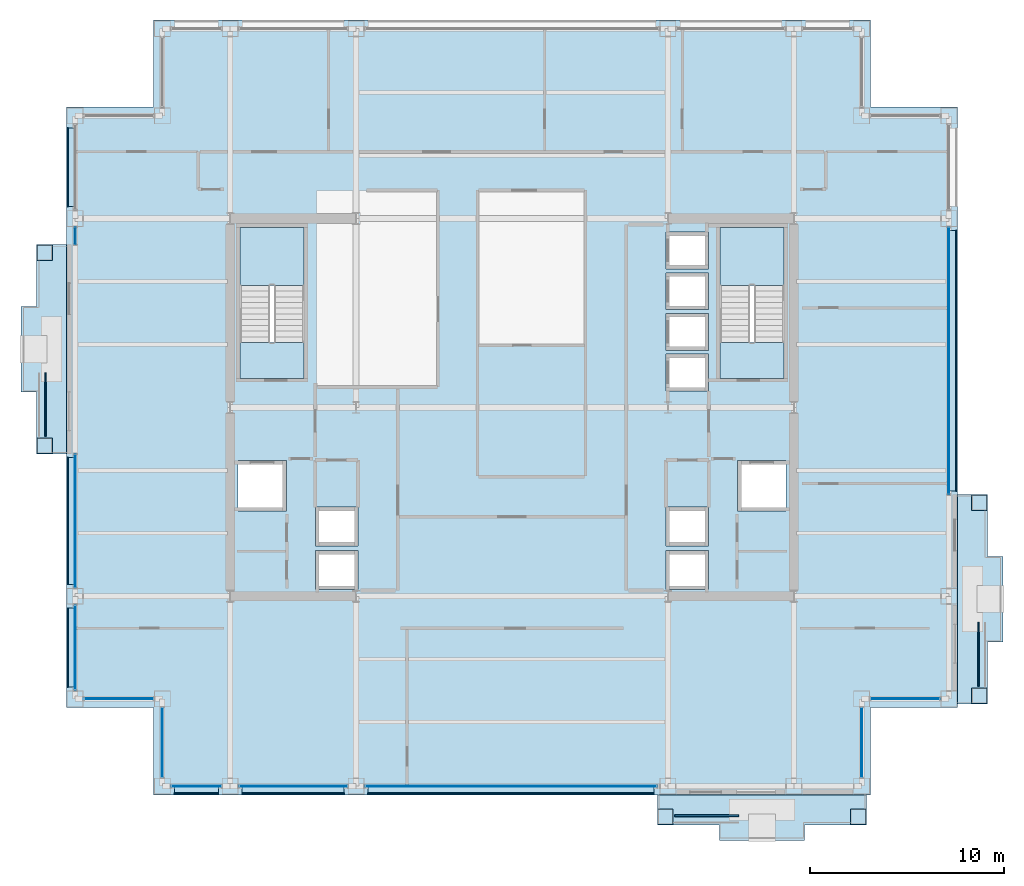
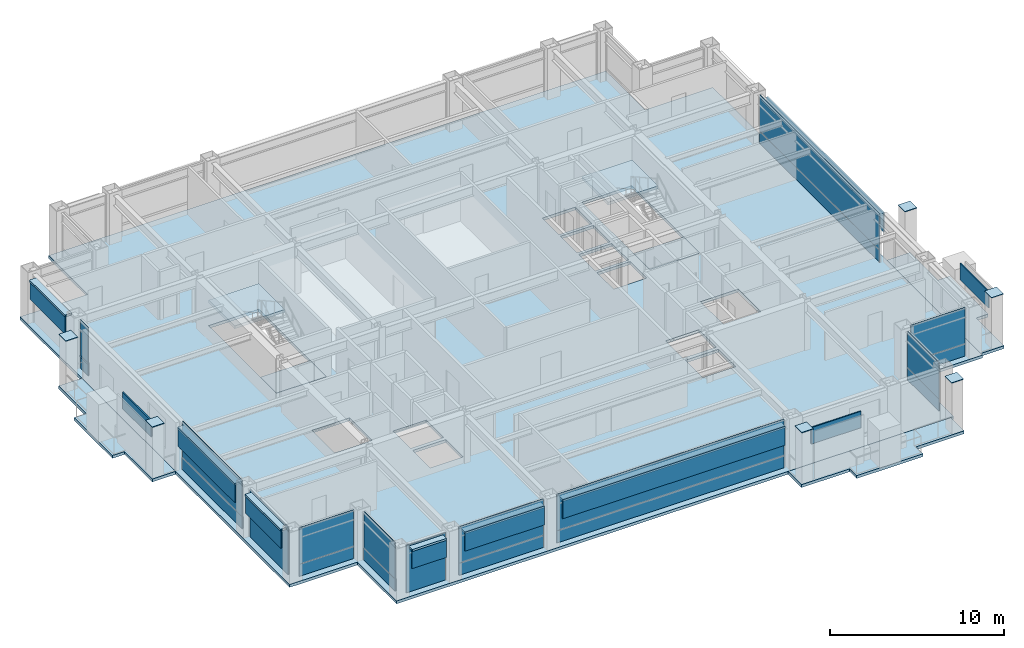
# One storey, part 23 of 30: 43 plates, 8 slabs, 1 member, 13 elements without a shape of their own.
"""IFC4 building model written with IfcOpenShell, lengths in metres."""

from ifc_helpers import new_model, si_unit, direction, frame, origin, origin_2d, place, context, subcontext, project, spatial, polyline, rectangle, hollow_rectangle, outline, extrude, material, layer, layer_set, material_profile, profile_set, type_object, element, aggregate, save


model = new_model("IFC4")

# Units and contexts
model_context = context("Model", 3, precision=1e-05, world=origin(), true_north=direction((0.0, 1.0)))
body_context = subcontext(model_context, "Body", "Model", "MODEL_VIEW")
ifc_project = project(units=[si_unit("LENGTHUNIT", "METRE"), si_unit("AREAUNIT", "SQUARE_METRE"), si_unit("VOLUMEUNIT", "CUBIC_METRE"), si_unit("PLANEANGLEUNIT", "RADIAN"), si_unit("MASSUNIT", "GRAM", prefix="KILO")], contexts=[model_context])

# Site, building, storey
site_placement = place(None, origin())
site = spatial("IfcSite", under=ifc_project, at=site_placement, CompositionType="ELEMENT")
building_placement = place(site_placement, origin())
building = spatial("IfcBuilding", under=site, at=building_placement, Name="Brelmoor Portico Tower", CompositionType="ELEMENT")
storey_placement = place(building_placement, frame((0.0, 0.0, 102.60009765625)))
storey = spatial("IfcBuildingStorey", under=building, at=storey_placement, Name="L26", CompositionType="ELEMENT", Elevation=102.60009765625)

# Curtain wall, member
ifc_material_1 = material(Name="Anodised Aluminium Alloy 6063-T6", Category="aluminium")
ifc_layer_1 = layer(ifc_material_1, 0.179931640625)
ifc_layer_set_1 = layer_set([ifc_layer_1], Name="Anodised Aluminium Alloy 6063-T6")
curtain_wall_type_1 = type_object("IfcCurtainWallType", Name="CW-TOWER-Z2", PredefinedType="NOTDEFINED", material=ifc_layer_set_1)
curtain_wall_1_placement = place(storey_placement, origin())
curtain_wall_1 = element("IfcCurtainWall", 1, at=curtain_wall_1_placement, inside=storey, type_object=curtain_wall_type_1, Name="L26 Curtain Wall CW-L26-3R-1", PredefinedType="NOTDEFINED")
ifc_material_profile = material_profile(ifc_material_1, hollow_rectangle(XDim=0.06494140625, YDim=0.139892578125, WallThickness=0.00390625, at=origin_2d()), Name="ALU TRANSOM 65x140")
ifc_profile_set = profile_set([ifc_material_profile], Name="Anodised Aluminium Alloy 6063-T6")
member_type = type_object("IfcMemberType", Name="MB-CW-TRAN-140", PredefinedType="USERDEFINED", material=ifc_profile_set)
member_placement = place(storey_placement, frame((-22.550048828125, 8.39990234375, 0.849853515625), z_axis=(0.0, 1.0, 0.0), x_axis=(-1.0, 0.0, 0.0)))
member = element("IfcMember", 2, at=member_placement, type_object=member_type, Name="CW-L26-3R-1 Transom 1-00", ObjectType="TRANSOM", PredefinedType="USERDEFINED", context=body_context, shape_type="SweptSolid", body=[
    extrude(hollow_rectangle(XDim=0.06494140625, YDim=0.139892578125, WallThickness=0.00390625, at=origin_2d()), origin(), (0.0, 0.0, 1.0), 0.9150390625),
])

# Plates
ifc_material_2 = material(Name="Steel Q355B", Category="steel")
ifc_layer_2 = layer(ifc_material_2, 0.044921875)
ifc_layer_set_2 = layer_set([ifc_layer_2], Name="Steel Q355B")
plate_type_1 = type_object("IfcPlateType", Name="PT-CAP-650", PredefinedType="SHEET", material=ifc_layer_set_2)
for number, where, z_axis, x_axis, name in (
    (3, (7.919921875, -21.1298828125, 3.599853515625), (0.0, 0.0, 1.0), (1.0, 0.0, 0.0), "L26 Proud Picture-Frame Pier PFJ-S1 Welded Head Cap Plate"),
    (4, (17.8798828125, -21.1298828125, 3.599853515625), (0.0, 0.0, 1.0), (1.0, 0.0, 0.0), "L26 Proud Picture-Frame Pier PFJ-S2 Welded Head Cap Plate"),
    (5, (24.1298828125, -14.8798828125, 3.599853515625), (0.0, 0.0, 1.0), (0.0, 1.0, 0.0), "L26 Proud Picture-Frame Pier PFJ-E1 Welded Head Cap Plate"),
    (6, (24.1298828125, -4.919921875, 3.599853515625), (0.0, 0.0, 1.0), (0.0, 1.0, 0.0), "L26 Proud Picture-Frame Pier PFJ-E2 Welded Head Cap Plate"),
    (7, (-24.1298828125, -1.97998046875, 3.599853515625), (0.0, 0.0, 1.0), (0.0, 1.0, 0.0), "L26 Proud Picture-Frame Pier PFJ-W1 Welded Head Cap Plate"),
    (8, (-24.1298828125, 7.97998046875, 3.599853515625), (0.0, 0.0, 1.0), (0.0, 1.0, 0.0), "L26 Proud Picture-Frame Pier PFJ-W2 Welded Head Cap Plate"),
):
    element("IfcPlate", number, at=place(storey_placement, frame(where, z_axis=z_axis, x_axis=x_axis)), inside=storey, type_object=plate_type_1, Name=name, PredefinedType="SHEET", context=body_context, shape_type="SweptSolid", body=[
        extrude(rectangle(XDim=0.7900390625, YDim=0.7900390625, at=origin_2d()), origin(), (0.0, 0.0, 1.0), 0.0400390625),
    ])

# Curtain wall, plate
curtain_wall_2_placement = place(storey_placement, origin())
curtain_wall_2 = element("IfcCurtainWall", 9, at=curtain_wall_2_placement, inside=storey, type_object=curtain_wall_type_1, Name="L26 Curtain Wall CW-L26-1L-2", PredefinedType="NOTDEFINED")
ifc_material_3 = material(Name="Double-Silver Low-E Insulated Glazing", Category="glass")
ifc_layer_3 = layer(ifc_material_3, 0.035888671875)
ifc_layer_set_3 = layer_set([ifc_layer_3], Name="Double-Silver Low-E Insulated Glazing")
plate_type_2 = type_object("IfcPlateType", Name="PT-CW-GLASS", PredefinedType="CURTAIN_PANEL", material=ifc_layer_set_3)
plate_1_placement = place(storey_placement, frame((-11.300048828125, -19.550048828125, 0.85009765625), z_axis=(0.0, 0.0, 1.0), x_axis=(1.0, 0.0, 0.0)))
plate_1 = element("IfcPlate", 10, at=plate_1_placement, type_object=plate_type_2, Name="CW-L26-1L-2 Vision Glass Panel 00", PredefinedType="CURTAIN_PANEL", context=body_context, shape_type="SweptSolid", body=[
    extrude(rectangle(XDim=5.60009765625, YDim=0.035888671875, at=origin_2d()), origin(), (0.0, 0.0, 1.0), 2.550048828125),
])

curtain_wall_3_placement = place(storey_placement, origin())
curtain_wall_3 = element("IfcCurtainWall", 11, at=curtain_wall_3_placement, inside=storey, type_object=curtain_wall_type_1, Name="L26 Curtain Wall CW-L26-1L-3", PredefinedType="NOTDEFINED")
plate_2_placement = place(storey_placement, frame((-0.0576171875, -19.550048828125, 0.85009765625), z_axis=(0.0, 0.0, 1.0), x_axis=(1.0, 0.0, 0.0)))
plate_2 = element("IfcPlate", 12, at=plate_2_placement, type_object=plate_type_2, Name="CW-L26-1L-3 Vision Glass Panel 00", PredefinedType="CURTAIN_PANEL", context=body_context, shape_type="SweptSolid", body=[
    extrude(rectangle(XDim=15.0849609375, YDim=0.035888671875, at=origin_2d()), origin(), (0.0, 0.0, 1.0), 2.550048828125),
])

curtain_wall_4_placement = place(storey_placement, origin())
curtain_wall_4 = element("IfcCurtainWall", 13, at=curtain_wall_4_placement, inside=storey, type_object=curtain_wall_type_1, Name="L26 Curtain Wall CW-L26-3L-2", PredefinedType="NOTDEFINED")
plate_3_placement = place(storey_placement, frame((-22.550048828125, -5.857421875, 0.85009765625), z_axis=(0.0, 0.0, 1.0), x_axis=(0.0, 1.0, 0.0)))
plate_3 = element("IfcPlate", 14, at=plate_3_placement, type_object=plate_type_2, Name="CW-L26-3L-2 Vision Glass Panel 00", PredefinedType="CURTAIN_PANEL", context=body_context, shape_type="SweptSolid", body=[
    extrude(rectangle(XDim=6.885009765625, YDim=0.035888671875, at=origin_2d()), origin(), (0.0, 0.0, 1.0), 2.550048828125),
])

# Plate
plate_4_placement = place(storey_placement, frame((-22.550048828125, 8.857421875, 0.85009765625), z_axis=(0.0, 0.0, 1.0), x_axis=(0.0, 1.0, 0.0)))
plate_4 = element("IfcPlate", 15, at=plate_4_placement, type_object=plate_type_2, Name="CW-L26-3R-1 Vision Glass Panel 00", PredefinedType="CURTAIN_PANEL", context=body_context, shape_type="SweptSolid", body=[
    extrude(rectangle(XDim=0.885009765625, YDim=0.035888671875, at=origin_2d()), origin(), (0.0, 0.0, 1.0), 2.550048828125),
])

# Curtain wall, plate
curtain_wall_5_placement = place(storey_placement, origin())
curtain_wall_5 = element("IfcCurtainWall", 16, at=curtain_wall_5_placement, inside=storey, type_object=curtain_wall_type_1, Name="L26 Curtain Wall CW-L26-4R-1", PredefinedType="NOTDEFINED")
plate_5_placement = place(storey_placement, frame((22.550048828125, 2.407470703125, 0.85009765625), z_axis=(0.0, 0.0, 1.0), x_axis=(0.0, 1.0, 0.0)))
plate_5 = element("IfcPlate", 17, at=plate_5_placement, type_object=plate_type_2, Name="CW-L26-4R-1 Vision Glass Panel 00", PredefinedType="CURTAIN_PANEL", context=body_context, shape_type="SweptSolid", body=[
    extrude(rectangle(XDim=13.784912109375, YDim=0.035888671875, at=origin_2d()), origin(), (0.0, 0.0, 1.0), 2.550048828125),
])

ifc_layer_4 = layer(ifc_material_1, 0.179931640625)
ifc_layer_set_4 = layer_set([ifc_layer_4], Name="Anodised Aluminium Alloy 6063-T6")
curtain_wall_type_2 = type_object("IfcCurtainWallType", Name="CW-NOTCH-CHAMFER", PredefinedType="NOTDEFINED", material=ifc_layer_set_4)
curtain_wall_6_placement = place(storey_placement, origin())
curtain_wall_6 = element("IfcCurtainWall", 18, at=curtain_wall_6_placement, inside=storey, type_object=curtain_wall_type_2, Name="L26 Curtain Wall CWN-L26-SWH", PredefinedType="NOTDEFINED")
plate_6_placement = place(storey_placement, frame((-20.300048828125, -15.050048828125, 0.85009765625), z_axis=(0.0, 0.0, 1.0), x_axis=(1.0, 0.0, 0.0)))
plate_6 = element("IfcPlate", 19, at=plate_6_placement, type_object=plate_type_2, Name="CWN-L26-SWH Vision Glass Panel 00", PredefinedType="CURTAIN_PANEL", context=body_context, shape_type="SweptSolid", body=[
    extrude(rectangle(XDim=3.60009765625, YDim=0.035888671875, at=origin_2d()), origin(), (0.0, 0.0, 1.0), 2.550048828125),
])

curtain_wall_7_placement = place(storey_placement, origin())
curtain_wall_7 = element("IfcCurtainWall", 20, at=curtain_wall_7_placement, inside=storey, type_object=curtain_wall_type_2, Name="L26 Curtain Wall CWN-L26-SWV", PredefinedType="NOTDEFINED")
plate_7_placement = place(storey_placement, frame((-18.050048828125, -17.300048828125, 0.85009765625), z_axis=(0.0, 0.0, 1.0), x_axis=(0.0, 1.0, 0.0)))
plate_7 = element("IfcPlate", 21, at=plate_7_placement, type_object=plate_type_2, Name="CWN-L26-SWV Vision Glass Panel 00", PredefinedType="CURTAIN_PANEL", context=body_context, shape_type="SweptSolid", body=[
    extrude(rectangle(XDim=3.60009765625, YDim=0.035888671875, at=origin_2d()), origin(), (0.0, 0.0, 1.0), 2.550048828125),
])

curtain_wall_8_placement = place(storey_placement, origin())
curtain_wall_8 = element("IfcCurtainWall", 22, at=curtain_wall_8_placement, inside=storey, type_object=curtain_wall_type_2, Name="L26 Curtain Wall CWN-L26-SEH", PredefinedType="NOTDEFINED")
plate_8_placement = place(storey_placement, frame((20.300048828125, -15.050048828125, 0.85009765625), z_axis=(0.0, 0.0, 1.0), x_axis=(1.0, 0.0, 0.0)))
plate_8 = element("IfcPlate", 23, at=plate_8_placement, type_object=plate_type_2, Name="CWN-L26-SEH Vision Glass Panel 00", PredefinedType="CURTAIN_PANEL", context=body_context, shape_type="SweptSolid", body=[
    extrude(rectangle(XDim=3.60009765625, YDim=0.035888671875, at=origin_2d()), origin(), (0.0, 0.0, 1.0), 2.550048828125),
])

curtain_wall_9_placement = place(storey_placement, origin())
curtain_wall_9 = element("IfcCurtainWall", 24, at=curtain_wall_9_placement, inside=storey, type_object=curtain_wall_type_2, Name="L26 Curtain Wall CWN-L26-SEV", PredefinedType="NOTDEFINED")
plate_9_placement = place(storey_placement, frame((18.050048828125, -17.300048828125, 0.85009765625), z_axis=(0.0, 0.0, 1.0), x_axis=(0.0, 1.0, 0.0)))
plate_9 = element("IfcPlate", 25, at=plate_9_placement, type_object=plate_type_2, Name="CWN-L26-SEV Vision Glass Panel 00", PredefinedType="CURTAIN_PANEL", context=body_context, shape_type="SweptSolid", body=[
    extrude(rectangle(XDim=3.60009765625, YDim=0.035888671875, at=origin_2d()), origin(), (0.0, 0.0, 1.0), 2.550048828125),
])

ifc_layer_5 = layer(ifc_material_1, 0.179931640625)
ifc_layer_set_5 = layer_set([ifc_layer_5], Name="Anodised Aluminium Alloy 6063-T6")
curtain_wall_type_3 = type_object("IfcCurtainWallType", Name="CW-TOWER-Z2-XB", PredefinedType="NOTDEFINED", material=ifc_layer_set_5)
curtain_wall_10_placement = place(storey_placement, origin())
curtain_wall_10 = element("IfcCurtainWall", 26, at=curtain_wall_10_placement, inside=storey, type_object=curtain_wall_type_3, Name="L26 Curtain Wall CW-L26-1L-1", PredefinedType="NOTDEFINED")
ifc_material_4 = material(Name="Pale Champagne Anodised Aluminium Panel", Category="aluminium")
ifc_layer_6 = layer(ifc_material_4, 0.050048828125)
ifc_layer_set_6 = layer_set([ifc_layer_6], Name="Pale Champagne Anodised Aluminium Panel")
plate_type_3 = type_object("IfcPlateType", Name="PT-CW-SPANDREL", PredefinedType="SHEET", material=ifc_layer_set_6)
plate_10_placement = place(storey_placement, frame((-16.300048828125, -19.550048828125, -0.000244140625), z_axis=(0.0, 0.0, 1.0), x_axis=(1.0, 0.0, 0.0)))
plate_10 = element("IfcPlate", 27, at=plate_10_placement, type_object=plate_type_3, Name="CW-L26-1L-1 Spandrel Panel 00", PredefinedType="SHEET", context=body_context, shape_type="SweptSolid", body=[
    extrude(rectangle(XDim=2.60009765625, YDim=0.050048828125, at=origin_2d()), origin(), (0.0, 0.0, 1.0), 3.330078125),
])
aggregate(curtain_wall_10, [plate_10])

# Plate
plate_11_placement = place(storey_placement, frame((-11.300048828125, -19.550048828125, -0.000244140625), z_axis=(0.0, 0.0, 1.0), x_axis=(1.0, 0.0, 0.0)))
plate_11 = element("IfcPlate", 28, at=plate_11_placement, type_object=plate_type_3, Name="CW-L26-1L-2 Spandrel Panel 00", PredefinedType="SHEET", context=body_context, shape_type="SweptSolid", body=[
    extrude(rectangle(XDim=5.60009765625, YDim=0.050048828125, at=origin_2d()), origin(), (0.0, 0.0, 1.0), 0.85009765625),
])

aggregate(curtain_wall_2, [plate_11, plate_1])

plate_12_placement = place(storey_placement, frame((-0.0576171875, -19.550048828125, -0.000244140625), z_axis=(0.0, 0.0, 1.0), x_axis=(1.0, 0.0, 0.0)))
plate_12 = element("IfcPlate", 29, at=plate_12_placement, type_object=plate_type_3, Name="CW-L26-1L-3 Spandrel Panel 00", PredefinedType="SHEET", context=body_context, shape_type="SweptSolid", body=[
    extrude(rectangle(XDim=15.0849609375, YDim=0.050048828125, at=origin_2d()), origin(), (0.0, 0.0, 1.0), 0.85009765625),
])

aggregate(curtain_wall_3, [plate_12, plate_2])

# Curtain wall, plate
curtain_wall_11_placement = place(storey_placement, origin())
curtain_wall_11 = element("IfcCurtainWall", 30, at=curtain_wall_11_placement, inside=storey, type_object=curtain_wall_type_3, Name="L26 Curtain Wall CW-L26-3L-1", PredefinedType="NOTDEFINED")
plate_13_placement = place(storey_placement, frame((-22.550048828125, -12.39990234375, -0.000244140625), z_axis=(0.0, 0.0, 1.0), x_axis=(0.0, 1.0, 0.0)))
plate_13 = element("IfcPlate", 31, at=plate_13_placement, type_object=plate_type_3, Name="CW-L26-3L-1 Spandrel Panel 00", PredefinedType="SHEET", context=body_context, shape_type="SweptSolid", body=[
    extrude(rectangle(XDim=4.39990234375, YDim=0.050048828125, at=origin_2d()), origin(), (0.0, 0.0, 1.0), 3.330078125),
])
aggregate(curtain_wall_11, [plate_13])

# Plate
plate_14_placement = place(storey_placement, frame((-22.550048828125, -5.857421875, -0.000244140625), z_axis=(0.0, 0.0, 1.0), x_axis=(0.0, 1.0, 0.0)))
plate_14 = element("IfcPlate", 32, at=plate_14_placement, type_object=plate_type_3, Name="CW-L26-3L-2 Spandrel Panel 00", PredefinedType="SHEET", context=body_context, shape_type="SweptSolid", body=[
    extrude(rectangle(XDim=6.885009765625, YDim=0.050048828125, at=origin_2d()), origin(), (0.0, 0.0, 1.0), 0.85009765625),
])

aggregate(curtain_wall_4, [plate_14, plate_3])

plate_15_placement = place(storey_placement, frame((-22.550048828125, 8.857421875, -0.000244140625), z_axis=(0.0, 0.0, 1.0), x_axis=(0.0, 1.0, 0.0)))
plate_15 = element("IfcPlate", 33, at=plate_15_placement, type_object=plate_type_3, Name="CW-L26-3R-1 Spandrel Panel 00", PredefinedType="SHEET", context=body_context, shape_type="SweptSolid", body=[
    extrude(rectangle(XDim=0.885009765625, YDim=0.050048828125, at=origin_2d()), origin(), (0.0, 0.0, 1.0), 0.85009765625),
])

aggregate(curtain_wall_1, [member, plate_15, plate_4])

plate_16_placement = place(storey_placement, frame((22.550048828125, 2.407470703125, -0.000244140625), z_axis=(0.0, 0.0, 1.0), x_axis=(0.0, 1.0, 0.0)))
plate_16 = element("IfcPlate", 34, at=plate_16_placement, type_object=plate_type_3, Name="CW-L26-4R-1 Spandrel Panel 00", PredefinedType="SHEET", context=body_context, shape_type="SweptSolid", body=[
    extrude(rectangle(XDim=13.784912109375, YDim=0.050048828125, at=origin_2d()), origin(), (0.0, 0.0, 1.0), 0.85009765625),
])

aggregate(curtain_wall_5, [plate_16, plate_5])

plate_17_placement = place(storey_placement, frame((-20.300048828125, -15.050048828125, -0.000244140625), z_axis=(0.0, 0.0, 1.0), x_axis=(1.0, 0.0, 0.0)))
plate_17 = element("IfcPlate", 35, at=plate_17_placement, type_object=plate_type_3, Name="CWN-L26-SWH Spandrel Panel 00", PredefinedType="SHEET", context=body_context, shape_type="SweptSolid", body=[
    extrude(rectangle(XDim=3.60009765625, YDim=0.050048828125, at=origin_2d()), origin(), (0.0, 0.0, 1.0), 0.85009765625),
])

aggregate(curtain_wall_6, [plate_17, plate_6])

plate_18_placement = place(storey_placement, frame((-18.050048828125, -17.300048828125, -0.000244140625), z_axis=(0.0, 0.0, 1.0), x_axis=(0.0, 1.0, 0.0)))
plate_18 = element("IfcPlate", 36, at=plate_18_placement, type_object=plate_type_3, Name="CWN-L26-SWV Spandrel Panel 00", PredefinedType="SHEET", context=body_context, shape_type="SweptSolid", body=[
    extrude(rectangle(XDim=3.60009765625, YDim=0.050048828125, at=origin_2d()), origin(), (0.0, 0.0, 1.0), 0.85009765625),
])

aggregate(curtain_wall_7, [plate_18, plate_7])

plate_19_placement = place(storey_placement, frame((20.300048828125, -15.050048828125, -0.000244140625), z_axis=(0.0, 0.0, 1.0), x_axis=(1.0, 0.0, 0.0)))
plate_19 = element("IfcPlate", 37, at=plate_19_placement, type_object=plate_type_3, Name="CWN-L26-SEH Spandrel Panel 00", PredefinedType="SHEET", context=body_context, shape_type="SweptSolid", body=[
    extrude(rectangle(XDim=3.60009765625, YDim=0.050048828125, at=origin_2d()), origin(), (0.0, 0.0, 1.0), 0.85009765625),
])

aggregate(curtain_wall_8, [plate_19, plate_8])

plate_20_placement = place(storey_placement, frame((18.050048828125, -17.300048828125, -0.000244140625), z_axis=(0.0, 0.0, 1.0), x_axis=(0.0, 1.0, 0.0)))
plate_20 = element("IfcPlate", 38, at=plate_20_placement, type_object=plate_type_3, Name="CWN-L26-SEV Spandrel Panel 00", PredefinedType="SHEET", context=body_context, shape_type="SweptSolid", body=[
    extrude(rectangle(XDim=3.60009765625, YDim=0.050048828125, at=origin_2d()), origin(), (0.0, 0.0, 1.0), 0.85009765625),
])

aggregate(curtain_wall_9, [plate_20, plate_9])

# Plates
ifc_material_5 = material(Name="Powder-Coated Aluminium Shuttered Jalousie Louvre", Category="aluminium")
ifc_layer_7 = layer(ifc_material_5, 0.06005859375)
ifc_layer_set_7 = layer_set([ifc_layer_7], Name="Powder-Coated Aluminium Shuttered Jalousie Louvre")
plate_type_4 = type_object("IfcPlateType", Name="PT-JALOUSIE-SHUTTER", PredefinedType="SHEET", material=ifc_layer_set_7)
plate_21_placement = place(storey_placement, frame((-16.300048828125, -19.929931640625, 1.8740234375), z_axis=(0.0, 0.0, 1.0), x_axis=(1.0, 0.0, 0.0)))
element("IfcPlate", 39, at=plate_21_placement, inside=storey, type_object=plate_type_4, Name="CW-L26-1L-1 Perforated Jalousie Solar Screen", PredefinedType="SHEET", context=body_context, shape_type="SweptSolid", body=[
    extrude(rectangle(XDim=2.27001953125, YDim=0.06494140625, at=origin_2d()), origin(), (0.0, 0.0, 1.0), 1.325927734375),
])
plate_22_placement = place(storey_placement, frame((-11.300048828125, -19.929931640625, 1.8740234375), z_axis=(0.0, 0.0, 1.0), x_axis=(1.0, 0.0, 0.0)))
element("IfcPlate", 40, at=plate_22_placement, inside=storey, type_object=plate_type_4, Name="CW-L26-1L-2 Perforated Jalousie Solar Screen", PredefinedType="SHEET", context=body_context, shape_type="SweptSolid", body=[
    extrude(rectangle(XDim=5.27001953125, YDim=0.06494140625, at=origin_2d()), origin(), (0.0, 0.0, 1.0), 1.325927734375),
])
plate_23_placement = place(storey_placement, frame((-0.0576171875, -19.929931640625, 1.8740234375), z_axis=(0.0, 0.0, 1.0), x_axis=(1.0, 0.0, 0.0)))
element("IfcPlate", 41, at=plate_23_placement, inside=storey, type_object=plate_type_4, Name="CW-L26-1L-3 Perforated Jalousie Solar Screen", PredefinedType="SHEET", context=body_context, shape_type="SweptSolid", body=[
    extrude(rectangle(XDim=14.7548828125, YDim=0.06494140625, at=origin_2d()), origin(), (0.0, 0.0, 1.0), 1.325927734375),
])
plate_24_placement = place(storey_placement, frame((10.050048828125, -21.080078125, 2.27490234375), z_axis=(0.0, 0.0, 1.0), x_axis=(1.0, 0.0, 0.0)))
element("IfcPlate", 42, at=plate_24_placement, inside=storey, type_object=plate_type_4, Name="L26 Shuttered Veranda Screen S", PredefinedType="SHEET", context=body_context, shape_type="SweptSolid", body=[
    extrude(rectangle(XDim=3.300048828125, YDim=0.080078125, at=origin_2d()), origin(), (0.0, 0.0, 1.0), 1.14990234375),
])
plate_25_placement = place(storey_placement, frame((-22.929931640625, -12.39990234375, 1.8740234375), z_axis=(0.0, 0.0, 1.0), x_axis=(0.0, 1.0, 0.0)))
element("IfcPlate", 43, at=plate_25_placement, inside=storey, type_object=plate_type_4, Name="CW-L26-3L-1 Perforated Jalousie Solar Screen", PredefinedType="SHEET", context=body_context, shape_type="SweptSolid", body=[
    extrude(rectangle(XDim=4.070068359375, YDim=0.06494140625, at=origin_2d()), origin(), (0.0, 0.0, 1.0), 1.325927734375),
])
plate_26_placement = place(storey_placement, frame((-22.929931640625, -5.857421875, 1.8740234375), z_axis=(0.0, 0.0, 1.0), x_axis=(0.0, 1.0, 0.0)))
element("IfcPlate", 44, at=plate_26_placement, inside=storey, type_object=plate_type_4, Name="CW-L26-3L-2 Perforated Jalousie Solar Screen", PredefinedType="SHEET", context=body_context, shape_type="SweptSolid", body=[
    extrude(rectangle(XDim=6.554931640625, YDim=0.06494140625, at=origin_2d()), origin(), (0.0, 0.0, 1.0), 1.325927734375),
])
plate_27_placement = place(storey_placement, frame((-22.929931640625, 12.39990234375, 1.8740234375), z_axis=(0.0, 0.0, 1.0), x_axis=(0.0, 1.0, 0.0)))
element("IfcPlate", 45, at=plate_27_placement, inside=storey, type_object=plate_type_4, Name="CW-L26-3R-2 Perforated Jalousie Solar Screen", PredefinedType="SHEET", context=body_context, shape_type="SweptSolid", body=[
    extrude(rectangle(XDim=4.070068359375, YDim=0.06494140625, at=origin_2d()), origin(), (0.0, 0.0, 1.0), 1.325927734375),
])
plate_28_placement = place(storey_placement, frame((-24.080078125, 0.14990234375, 2.27490234375), z_axis=(0.0, 0.0, 1.0), x_axis=(0.0, 1.0, 0.0)))
element("IfcPlate", 46, at=plate_28_placement, inside=storey, type_object=plate_type_4, Name="L26 Shuttered Veranda Screen W", PredefinedType="SHEET", context=body_context, shape_type="SweptSolid", body=[
    extrude(rectangle(XDim=3.300048828125, YDim=0.080078125, at=origin_2d()), origin(), (0.0, 0.0, 1.0), 1.14990234375),
])
plate_29_placement = place(storey_placement, frame((22.929931640625, 2.407470703125, 1.8740234375), z_axis=(0.0, 0.0, 1.0), x_axis=(0.0, 1.0, 0.0)))
element("IfcPlate", 47, at=plate_29_placement, inside=storey, type_object=plate_type_4, Name="CW-L26-4R-1 Perforated Jalousie Solar Screen", PredefinedType="SHEET", context=body_context, shape_type="SweptSolid", body=[
    extrude(rectangle(XDim=13.455078125, YDim=0.06494140625, at=origin_2d()), origin(), (0.0, 0.0, 1.0), 1.325927734375),
])
plate_30_placement = place(storey_placement, frame((24.080078125, -12.75, 2.27490234375), z_axis=(0.0, 0.0, 1.0), x_axis=(0.0, 1.0, 0.0)))
element("IfcPlate", 48, at=plate_30_placement, inside=storey, type_object=plate_type_4, Name="L26 Shuttered Veranda Screen E", PredefinedType="SHEET", context=body_context, shape_type="SweptSolid", body=[
    extrude(rectangle(XDim=3.300048828125, YDim=0.080078125, at=origin_2d()), origin(), (0.0, 0.0, 1.0), 1.14990234375),
])
ifc_material_6 = material(Name="Pale Champagne Perforated Aluminium Solar Screen", Category="aluminium")
ifc_layer_8 = layer(ifc_material_6, 0.054931640625)
ifc_layer_set_8 = layer_set([ifc_layer_8], Name="Pale Champagne Perforated Aluminium Solar Screen")
plate_type_5 = type_object("IfcPlateType", Name="PT-SOLAR-LOUVRE", PredefinedType="SHEET", material=ifc_layer_set_8)
plate_31_placement = place(storey_placement, frame((-16.300048828125, -19.760009765625, 3.08984375), z_axis=(0.0, 0.0, 1.0), x_axis=(1.0, 0.0, 0.0)))
element("IfcPlate", 49, at=plate_31_placement, inside=storey, type_object=plate_type_5, Name="CW-L26-1L-1 Caribbean Brise-Soleil Solar Screen", PredefinedType="SHEET", context=body_context, shape_type="SweptSolid", body=[
    extrude(rectangle(XDim=2.27001953125, YDim=0.4599609375, at=origin_2d()), origin(), (0.0, 0.0, 1.0), 0.139892578125),
])
plate_32_placement = place(storey_placement, frame((-11.300048828125, -19.760009765625, 3.08984375), z_axis=(0.0, 0.0, 1.0), x_axis=(1.0, 0.0, 0.0)))
element("IfcPlate", 50, at=plate_32_placement, inside=storey, type_object=plate_type_5, Name="CW-L26-1L-2 Caribbean Brise-Soleil Solar Screen", PredefinedType="SHEET", context=body_context, shape_type="SweptSolid", body=[
    extrude(rectangle(XDim=5.27001953125, YDim=0.4599609375, at=origin_2d()), origin(), (0.0, 0.0, 1.0), 0.139892578125),
])
plate_33_placement = place(storey_placement, frame((-0.0576171875, -19.760009765625, 3.08984375), z_axis=(0.0, 0.0, 1.0), x_axis=(1.0, 0.0, 0.0)))
element("IfcPlate", 51, at=plate_33_placement, inside=storey, type_object=plate_type_5, Name="CW-L26-1L-3 Caribbean Brise-Soleil Solar Screen", PredefinedType="SHEET", context=body_context, shape_type="SweptSolid", body=[
    extrude(rectangle(XDim=14.7548828125, YDim=0.4599609375, at=origin_2d()), origin(), (0.0, 0.0, 1.0), 0.139892578125),
])
plate_34_placement = place(storey_placement, frame((-22.760009765625, -12.39990234375, 3.08984375), z_axis=(0.0, 0.0, 1.0), x_axis=(0.0, 1.0, 0.0)))
element("IfcPlate", 52, at=plate_34_placement, inside=storey, type_object=plate_type_5, Name="CW-L26-3L-1 Caribbean Brise-Soleil Solar Screen", PredefinedType="SHEET", context=body_context, shape_type="SweptSolid", body=[
    extrude(rectangle(XDim=4.070068359375, YDim=0.4599609375, at=origin_2d()), origin(), (0.0, 0.0, 1.0), 0.139892578125),
])
plate_35_placement = place(storey_placement, frame((-22.760009765625, -5.857421875, 3.08984375), z_axis=(0.0, 0.0, 1.0), x_axis=(0.0, 1.0, 0.0)))
element("IfcPlate", 53, at=plate_35_placement, inside=storey, type_object=plate_type_5, Name="CW-L26-3L-2 Caribbean Brise-Soleil Solar Screen", PredefinedType="SHEET", context=body_context, shape_type="SweptSolid", body=[
    extrude(rectangle(XDim=6.554931640625, YDim=0.4599609375, at=origin_2d()), origin(), (0.0, 0.0, 1.0), 0.139892578125),
])
plate_36_placement = place(storey_placement, frame((-22.760009765625, 12.39990234375, 3.08984375), z_axis=(0.0, 0.0, 1.0), x_axis=(0.0, 1.0, 0.0)))
element("IfcPlate", 54, at=plate_36_placement, inside=storey, type_object=plate_type_5, Name="CW-L26-3R-2 Caribbean Brise-Soleil Solar Screen", PredefinedType="SHEET", context=body_context, shape_type="SweptSolid", body=[
    extrude(rectangle(XDim=4.070068359375, YDim=0.4599609375, at=origin_2d()), origin(), (0.0, 0.0, 1.0), 0.139892578125),
])
plate_37_placement = place(storey_placement, frame((22.760009765625, 2.407470703125, 3.08984375), z_axis=(0.0, 0.0, 1.0), x_axis=(0.0, 1.0, 0.0)))
element("IfcPlate", 55, at=plate_37_placement, inside=storey, type_object=plate_type_5, Name="CW-L26-4R-1 Caribbean Brise-Soleil Solar Screen", PredefinedType="SHEET", context=body_context, shape_type="SweptSolid", body=[
    extrude(rectangle(XDim=13.455078125, YDim=0.4599609375, at=origin_2d()), origin(), (0.0, 0.0, 1.0), 0.139892578125),
])

# Slabs
ifc_material_7 = material(Name="Concrete C40", Category="concrete")
ifc_layer_9 = layer(ifc_material_7, 0.199951171875)
ifc_layer_set_9 = layer_set([ifc_layer_9], Name="Concrete C40")
slab_type_1 = type_object("IfcSlabType", Name="SL-BALCONY-200", PredefinedType="FLOOR", material=ifc_layer_set_9)
slab_1_placement = place(storey_placement, frame((0.0, 0.0, -0.2001953125)))
element("IfcSlab", 56, at=slab_1_placement, inside=storey, type_object=slab_type_1, Name="L26 Loggia Tree Balcony Slab S", PredefinedType="FLOOR", context=body_context, shape_type="SweptSolid", body=[
    extrude(outline(polyline([(7.5, -21.550048828125), (10.699951171875, -21.550048828125), (10.699951171875, -22.35009765625), (15.10009765625, -22.35009765625), (15.10009765625, -21.550048828125), (18.300048828125, -21.550048828125), (18.300048828125, -20.0), (7.5, -20.0), (7.5, -21.550048828125)])), origin(), (0.0, 0.0, 1.0), 0.2001953125),
])
slab_2_placement = place(storey_placement, frame((0.0, 0.0, -0.2001953125)))
element("IfcSlab", 57, at=slab_2_placement, inside=storey, type_object=slab_type_1, Name="L26 Loggia Tree Balcony Slab E", PredefinedType="FLOOR", context=body_context, shape_type="SweptSolid", body=[
    extrude(outline(polyline([(23.0, -15.300048828125), (24.550048828125, -15.300048828125), (24.550048828125, -12.10009765625), (25.35009765625, -12.10009765625), (25.35009765625, -7.699951171875), (24.550048828125, -7.699951171875), (24.550048828125, -4.5), (23.0, -4.5), (23.0, -15.300048828125)])), origin(), (0.0, 0.0, 1.0), 0.2001953125),
])
slab_3_placement = place(storey_placement, frame((0.0, 0.0, -0.2001953125)))
element("IfcSlab", 58, at=slab_3_placement, inside=storey, type_object=slab_type_1, Name="L26 Loggia Tree Balcony Slab W", PredefinedType="FLOOR", context=body_context, shape_type="SweptSolid", body=[
    extrude(outline(polyline([(-24.550048828125, -2.39990234375), (-23.0, -2.39990234375), (-23.0, 8.39990234375), (-24.550048828125, 8.39990234375), (-24.550048828125, 5.199951171875), (-25.35009765625, 5.199951171875), (-25.35009765625, 0.800048828125), (-24.550048828125, 0.800048828125), (-24.550048828125, -2.39990234375)])), origin(), (0.0, 0.0, 1.0), 0.2001953125),
])
ifc_layer_10 = layer(ifc_material_7, 0.199951171875)
ifc_layer_set_10 = layer_set([ifc_layer_10], Name="Concrete C40")
slab_type_2 = type_object("IfcSlabType", Name="SL-FLOOR-200", PredefinedType="FLOOR", material=ifc_layer_set_10)
slab_4_placement = place(storey_placement, frame((0.0, 0.0, -0.2001953125)))
element("IfcSlab", 59, at=slab_4_placement, inside=storey, type_object=slab_type_2, Name="L26 Main Structural Floor Slab", PredefinedType="FLOOR", context=body_context, shape_type="SweptSolid", body=[
    extrude(outline(polyline([(-18.5, -20.0), (18.5, -20.0), (18.5, -15.5), (23.0, -15.5), (23.0, 15.5), (18.5, 15.5), (18.5, 20.0), (-18.5, 20.0), (-18.5, 15.5), (-23.0, 15.5), (-23.0, -15.5), (-18.5, -15.5), (-18.5, -20.0)]), holes=[polyline([(-10.72998046875, 1.5), (-10.72998046875, 9.300048828125), (-14.050048828125, 9.300048828125), (-14.050048828125, 1.5), (-10.72998046875, 1.5)]), polyline([(14.050048828125, 1.5), (14.050048828125, 9.300048828125), (10.72998046875, 9.300048828125), (10.72998046875, 1.5), (14.050048828125, 1.5)]), polyline([(7.949951171875, 0.85009765625), (10.14990234375, 0.85009765625), (10.14990234375, 2.75), (7.949951171875, 2.75), (7.949951171875, 0.85009765625)]), polyline([(7.949951171875, 2.949951171875), (10.14990234375, 2.949951171875), (10.14990234375, 4.85009765625), (7.949951171875, 4.85009765625), (7.949951171875, 2.949951171875)]), polyline([(7.949951171875, 5.050048828125), (10.14990234375, 5.050048828125), (10.14990234375, 6.949951171875), (7.949951171875, 6.949951171875), (7.949951171875, 5.050048828125)]), polyline([(7.949951171875, 7.14990234375), (10.14990234375, 7.14990234375), (10.14990234375, 9.050048828125), (7.949951171875, 9.050048828125), (7.949951171875, 7.14990234375)]), polyline([(-10.14990234375, -9.39990234375), (-7.949951171875, -9.39990234375), (-7.949951171875, -7.39990234375), (-10.14990234375, -7.39990234375), (-10.14990234375, -9.39990234375)]), polyline([(-10.14990234375, -7.14990234375), (-7.949951171875, -7.14990234375), (-7.949951171875, -5.14990234375), (-10.14990234375, -5.14990234375), (-10.14990234375, -7.14990234375)]), polyline([(7.949951171875, -9.39990234375), (10.14990234375, -9.39990234375), (10.14990234375, -7.39990234375), (7.949951171875, -7.39990234375), (7.949951171875, -9.39990234375)]), polyline([(7.949951171875, -7.14990234375), (10.14990234375, -7.14990234375), (10.14990234375, -5.14990234375), (7.949951171875, -5.14990234375), (7.949951171875, -7.14990234375)]), polyline([(-14.14990234375, -5.35009765625), (-11.64990234375, -5.35009765625), (-11.64990234375, -2.75), (-14.14990234375, -2.75), (-14.14990234375, -5.35009765625)]), polyline([(11.64990234375, -5.35009765625), (14.14990234375, -5.35009765625), (14.14990234375, -2.75), (11.64990234375, -2.75), (11.64990234375, -5.35009765625)])]), origin(), (0.0, 0.0, 1.0), 0.2001953125),
])

# Stair, slab
stair_type_1 = type_object("IfcStairType", Name="ST-CORE-W", PredefinedType="HALF_TURN_STAIR", material=ifc_material_7)
stair_1_placement = place(storey_placement, origin())
stair_1 = element("IfcStair", 60, at=stair_1_placement, inside=storey, type_object=stair_type_1, Name="L26 Protected Core Exit Stair ST-W", PredefinedType="HALF_TURN_STAIR")
ifc_layer_11 = layer(ifc_material_7, 0.179931640625)
ifc_layer_set_11 = layer_set([ifc_layer_11], Name="Concrete C40")
slab_type_3 = type_object("IfcSlabType", Name="SL-LANDING-180", PredefinedType="LANDING", material=ifc_layer_set_11)
slab_5_placement = place(storey_placement, frame((0.0, 0.0, 1.599853515625)))
slab_5 = element("IfcSlab", 61, at=slab_5_placement, type_object=slab_type_3, Name="ST-W landing 1", PredefinedType="LANDING", context=body_context, shape_type="SweptSolid", body=[
    extrude(outline(polyline([(-10.72998046875, 6.300048828125), (-10.72998046875, 9.300048828125), (-14.050048828125, 9.300048828125), (-14.050048828125, 6.300048828125), (-10.72998046875, 6.300048828125)])), origin(), (0.0, 0.0, 1.0), 0.199951171875),
])
aggregate(stair_1, [slab_5])

stair_type_2 = type_object("IfcStairType", Name="ST-CORE-E", PredefinedType="HALF_TURN_STAIR", material=ifc_material_7)
stair_2_placement = place(storey_placement, origin())
stair_2 = element("IfcStair", 62, at=stair_2_placement, inside=storey, type_object=stair_type_2, Name="L26 Protected Core Exit Stair ST-E", PredefinedType="HALF_TURN_STAIR")
slab_6_placement = place(storey_placement, frame((0.0, 0.0, 1.599853515625)))
slab_6 = element("IfcSlab", 63, at=slab_6_placement, type_object=slab_type_3, Name="ST-E landing 1", PredefinedType="LANDING", context=body_context, shape_type="SweptSolid", body=[
    extrude(outline(polyline([(14.050048828125, 6.300048828125), (14.050048828125, 9.300048828125), (10.72998046875, 9.300048828125), (10.72998046875, 6.300048828125), (14.050048828125, 6.300048828125)])), origin(), (0.0, 0.0, 1.0), 0.199951171875),
])
aggregate(stair_2, [slab_6])

# Slabs
ifc_layer_12 = layer(ifc_material_7, 0.199951171875)
ifc_layer_set_12 = layer_set([ifc_layer_12], Name="Concrete C40")
slab_type_4 = type_object("IfcSlabType", Name="SL-STAIR-FL200", PredefinedType="LANDING", material=ifc_layer_set_12)
slab_7_placement = place(storey_placement, frame((0.0, 0.0, -0.2001953125)))
element("IfcSlab", 64, at=slab_7_placement, inside=storey, type_object=slab_type_4, Name="L26 ST-W Structural Floor Landing Slab", PredefinedType="LANDING", context=body_context, shape_type="SweptSolid", body=[
    extrude(outline(polyline([(-10.72998046875, 1.5), (-10.72998046875, 3.35009765625), (-14.050048828125, 3.35009765625), (-14.050048828125, 1.5), (-10.72998046875, 1.5)])), origin(), (0.0, 0.0, 1.0), 0.2001953125),
])
slab_8_placement = place(storey_placement, frame((0.0, 0.0, -0.2001953125)))
element("IfcSlab", 65, at=slab_8_placement, inside=storey, type_object=slab_type_4, Name="L26 ST-E Structural Floor Landing Slab", PredefinedType="LANDING", context=body_context, shape_type="SweptSolid", body=[
    extrude(outline(polyline([(14.050048828125, 1.5), (14.050048828125, 3.35009765625), (10.72998046875, 3.35009765625), (10.72998046875, 1.5), (14.050048828125, 1.5)])), origin(), (0.0, 0.0, 1.0), 0.2001953125),
])

save(model, "model.ifc")
